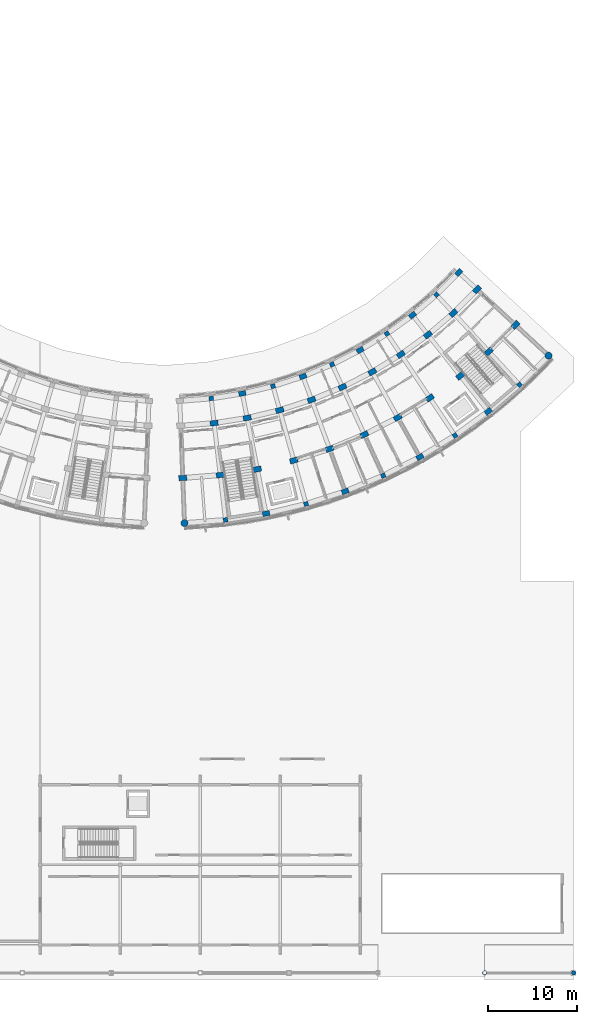
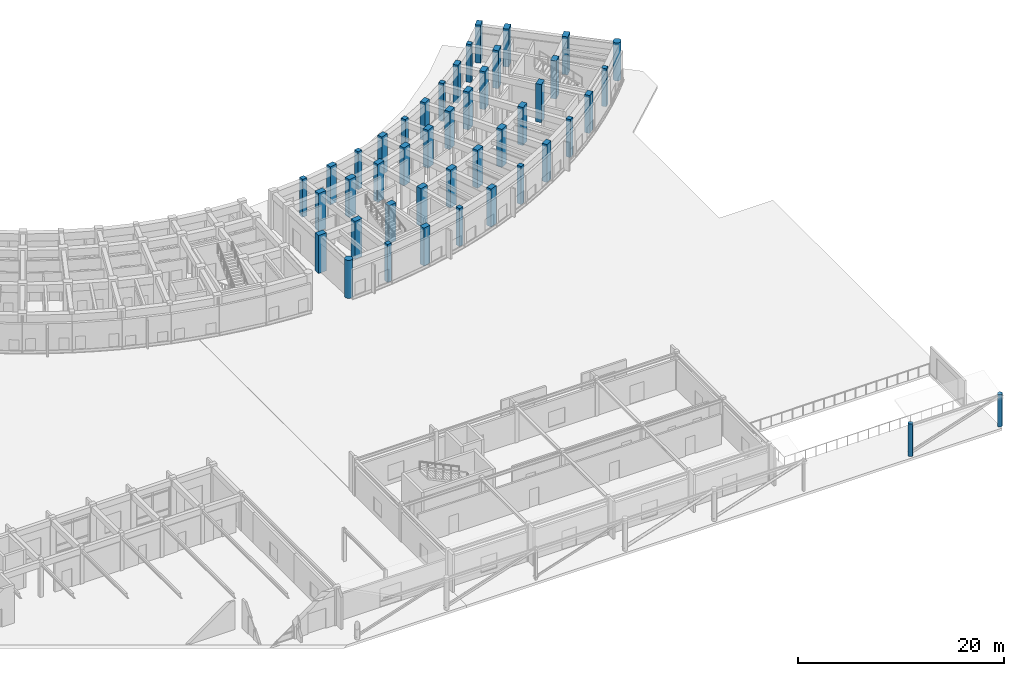
# One storey, part 8 of 61: 44 columns.
"""IFC4 building model written with IfcOpenShell, lengths in metres."""

from ifc_helpers import new_model, si_unit, direction, frame, origin, origin_2d, place, context, subcontext, project, spatial, rectangle, circle, extrude, material, material_profile, profile_set, type_object, element, save


model = new_model("IFC4")

# Units and contexts
model_context = context("Model", 3, precision=1e-05, world=origin(), true_north=direction((0.0, 1.0)))
body_context = subcontext(model_context, "Body", "Model", "MODEL_VIEW")
ifc_project = project(units=[si_unit("LENGTHUNIT", "METRE"), si_unit("AREAUNIT", "SQUARE_METRE"), si_unit("VOLUMEUNIT", "CUBIC_METRE"), si_unit("PLANEANGLEUNIT", "RADIAN"), si_unit("MASSUNIT", "GRAM", prefix="KILO")], contexts=[model_context])

# Site, building, storey
site_placement = place(None, origin())
site = spatial("IfcSite", under=ifc_project, at=site_placement, CompositionType="ELEMENT")
building_placement = place(site_placement, origin())
building = spatial("IfcBuilding", under=site, at=building_placement, Name="Zimvara Arc Housing Community", CompositionType="ELEMENT")
storey_placement = place(building_placement, origin())
storey = spatial("IfcBuildingStorey", under=building, at=storey_placement, Name="L00", CompositionType="ELEMENT", Elevation=0.0)

# Columns
ifc_material_1 = material(Name="Concrete C40/50", Category="concrete")
ifc_material_profile_1 = material_profile(ifc_material_1, rectangle(XDim=0.5, YDim=0.5, at=origin_2d()), Name="RC 500x500")
ifc_profile_set_1 = profile_set([ifc_material_profile_1], Name="Concrete C40/50")
column_type_1 = type_object("IfcColumnType", Name="COL-RC-500x500", PredefinedType="COLUMN", material=ifc_profile_set_1)
for number, where, z_axis, x_axis, name in (
    (1, (131.244140625, 65.048095703125, 0.0), (0.0, 0.0, 1.0), (0.116670737099, -0.993170649538, 0.0), "col:blkD:L00:b1:r0"),
    (2, (132.849609375, 51.382080078125, 0.0), (0.0, 0.0, 1.0), (0.116670737099, -0.993170649538, 0.0), "col:blkD:L00:b1:r3"),
    (3, (138.189453125, 66.42333984375, 0.0), (0.0, 0.0, 1.0), (0.270600445976, -0.962691746426, 0.0), "col:blkD:L00:b3:r0"),
    (4, (141.912841796875, 53.1767578125, 0.0), (0.0, 0.0, 1.0), (0.270600445976, -0.962691746426, 0.0), "col:blkD:L00:b3:r3"),
    (5, (144.834228515625, 68.8681640625, 0.0), (0.0, 0.0, 1.0), (0.417867073801, -0.908508177527, 0.0), "col:blkD:L00:b5:r0"),
    (6, (150.583984375, 56.366943359375, 0.0), (0.0, 0.0, 1.0), (0.417867073801, -0.908508177527, 0.0), "col:blkD:L00:b5:r3"),
    (7, (151.0146484375, 72.322265625, 0.0), (0.0, 0.0, 1.0), (0.554844427448, -0.83195412213, 0.0), "col:blkD:L00:b7:r0"),
    (8, (158.649169921875, 60.87451171875, 0.0), (0.0, 0.0, 1.0), (0.554844427448, -0.83195412213, 0.0), "col:blkD:L00:b7:r3"),
    (9, (156.57861328125, 76.70068359375, 0.0), (0.0, 0.0, 1.0), (0.678159669868, -0.73491459515, 0.0), "col:blkD:L00:b9:r0"),
    (10, (165.91015625, 66.588134765625, 0.0), (0.0, 0.0, 1.0), (0.678159669868, -0.73491459515, 0.0), "col:blkD:L00:b9:r3"),
):
    element("IfcColumn", number, at=place(storey_placement, frame(where, z_axis=z_axis, x_axis=x_axis)), inside=storey, type_object=column_type_1, Name=name, PredefinedType="COLUMN", context=body_context, shape_type="SweptSolid", body=[
        extrude(rectangle(XDim=0.5, YDim=0.5, at=origin_2d()), origin(), (0.0, 0.0, 1.0), 4.5),
    ])
ifc_material_2 = material(Name="Concrete C40/50", Category="concrete")
ifc_material_profile_2 = material_profile(ifc_material_2, rectangle(XDim=0.550048828125, YDim=0.800048828125, at=origin_2d()), Name="RC 550x800")
ifc_profile_set_2 = profile_set([ifc_material_profile_2], Name="Concrete C40/50")
column_type_2 = type_object("IfcColumnType", Name="COL-RC-550x800", PredefinedType="COLUMN", material=ifc_profile_set_2)
for number, where, z_axis, x_axis, name in (
    (11, (134.743896484375, 65.599365234375, 0.0), (0.0, 0.0, 1.0), (0.19423435122, -0.980955155349, 0.0), "col:blkD:L00:b2:r0"),
    (12, (137.41650390625, 52.101318359375, 0.0), (0.0, 0.0, 1.0), (0.19423435122, -0.980955155349, 0.0), "col:blkD:L00:b2:r3"),
    (13, (141.559814453125, 67.51513671875, 0.0), (0.0, 0.0, 1.0), (0.345298198999, -0.93849302276, 0.0), "col:blkD:L00:b4:r0"),
    (14, (146.311279296875, 54.6015625, 0.0), (0.0, 0.0, 1.0), (0.345298198999, -0.93849302276, 0.0), "col:blkD:L00:b4:r3"),
    (15, (147.9921875, 70.473876953125, 0.0), (0.0, 0.0, 1.0), (0.487859659139, -0.87292207727, 0.0), "col:blkD:L00:b6:r0"),
    (16, (154.705078125, 58.46240234375, 0.0), (0.0, 0.0, 1.0), (0.487859659139, -0.87292207727, 0.0), "col:blkD:L00:b6:r3"),
    (17, (153.882568359375, 74.402099609375, 0.0), (0.0, 0.0, 1.0), (0.618408395358, -0.785856893175, 0.0), "col:blkD:L00:b8:r0"),
    (18, (162.391845703125, 63.5888671875, 0.0), (0.0, 0.0, 1.0), (0.618408395358, -0.785856893175, 0.0), "col:blkD:L00:b8:r3"),
    (19, (159.0859375, 79.20361328125, 0.0), (0.0, 0.0, 1.0), (0.733729864503, -0.679441304262, 0.0), "col:blkD:L00:b10:r0"),
):
    element("IfcColumn", number, at=place(storey_placement, frame(where, z_axis=z_axis, x_axis=x_axis)), inside=storey, type_object=column_type_2, Name=name, PredefinedType="COLUMN", context=body_context, shape_type="SweptSolid", body=[
        extrude(rectangle(XDim=0.550048828125, YDim=0.800048828125, at=origin_2d()), origin(), (0.0, 0.0, 1.0), 4.5),
    ])
ifc_material_3 = material(Name="Concrete C40/50", Category="concrete")
ifc_material_profile_3 = material_profile(ifc_material_3, rectangle(XDim=0.60009765625, YDim=0.89990234375, at=origin_2d()), Name="RC 600x900")
ifc_profile_set_3 = profile_set([ifc_material_profile_3], Name="Concrete C40/50")
column_type_3 = type_object("IfcColumnType", Name="COL-RC-600x900", PredefinedType="COLUMN", material=ifc_profile_set_3)
for number, where, z_axis, x_axis, name in (
    (20, (128.045166015625, 56.099609375, 0.0), (0.0, 0.0, 1.0), (0.038387809088, -0.999262916411, 0.0), "col:blkD:L00:b0:r2"),
    (21, (131.57080078125, 62.267333984375, 0.0), (0.0, 0.0, 1.0), (0.116670737099, -0.993170649538, 0.0), "col:blkD:L00:b1:r1"),
    (22, (132.2568359375, 56.427490234375, 0.0), (0.0, 0.0, 1.0), (0.116670737099, -0.993170649538, 0.0), "col:blkD:L00:b1:r2"),
    (23, (135.28759765625, 62.8525390625, 0.0), (0.0, 0.0, 1.0), (0.19423435122, -0.980955155349, 0.0), "col:blkD:L00:b2:r1"),
    (24, (136.4296875, 57.084716796875, 0.0), (0.0, 0.0, 1.0), (0.19423435122, -0.980955155349, 0.0), "col:blkD:L00:b2:r2"),
    (25, (138.947265625, 63.727783203125, 0.0), (0.0, 0.0, 1.0), (0.270600445976, -0.962691746426, 0.0), "col:blkD:L00:b3:r1"),
    (26, (140.538330078125, 58.067138671875, 0.0), (0.0, 0.0, 1.0), (0.270600445976, -0.962691746426, 0.0), "col:blkD:L00:b3:r2"),
    (27, (142.526611328125, 64.887451171875, 0.0), (0.0, 0.0, 1.0), (0.345298198999, -0.93849302276, 0.0), "col:blkD:L00:b4:r1"),
    (28, (144.55712890625, 59.369140625, 0.0), (0.0, 0.0, 1.0), (0.345298198999, -0.93849302276, 0.0), "col:blkD:L00:b4:r2"),
    (29, (146.004150390625, 66.32421875, 0.0), (0.0, 0.0, 1.0), (0.417867073801, -0.908508177527, 0.0), "col:blkD:L00:b5:r1"),
    (30, (148.461181640625, 60.982177734375, 0.0), (0.0, 0.0, 1.0), (0.417867073801, -0.908508177527, 0.0), "col:blkD:L00:b5:r2"),
    (31, (149.358154296875, 68.029541015625, 0.0), (0.0, 0.0, 1.0), (0.487859659139, -0.87292207727, 0.0), "col:blkD:L00:b6:r1"),
    (32, (152.226806640625, 62.896728515625, 0.0), (0.0, 0.0, 1.0), (0.487859659139, -0.87292207727, 0.0), "col:blkD:L00:b6:r2"),
    (33, (152.568115234375, 69.99267578125, 0.0), (0.0, 0.0, 1.0), (0.554844427448, -0.83195412213, 0.0), "col:blkD:L00:b7:r1"),
    (34, (155.83056640625, 65.100830078125, 0.0), (0.0, 0.0, 1.0), (0.554844427448, -0.83195412213, 0.0), "col:blkD:L00:b7:r2"),
    (35, (155.614013671875, 72.20166015625, 0.0), (0.0, 0.0, 1.0), (0.618408395358, -0.785856893175, 0.0), "col:blkD:L00:b8:r1"),
    (36, (159.25048828125, 67.580810546875, 0.0), (0.0, 0.0, 1.0), (0.618408395358, -0.785856893175, 0.0), "col:blkD:L00:b8:r2"),
    (37, (158.477294921875, 74.642822265625, 0.0), (0.0, 0.0, 1.0), (0.678159669868, -0.73491459515, 0.0), "col:blkD:L00:b9:r1"),
    (38, (162.465087890625, 70.321533203125, 0.0), (0.0, 0.0, 1.0), (0.678159669868, -0.73491459515, 0.0), "col:blkD:L00:b9:r2"),
    (39, (161.140380859375, 77.30126953125, 0.0), (0.0, 0.0, 1.0), (0.733729864503, -0.679441304262, 0.0), "col:blkD:L00:b10:r1"),
    (40, (165.45458984375, 73.30615234375, 0.0), (0.0, 0.0, 1.0), (0.733729864503, -0.679441304262, 0.0), "col:blkD:L00:b10:r2"),
):
    element("IfcColumn", number, at=place(storey_placement, frame(where, z_axis=z_axis, x_axis=x_axis)), inside=storey, type_object=column_type_3, Name=name, PredefinedType="COLUMN", context=body_context, shape_type="SweptSolid", body=[
        extrude(rectangle(XDim=0.60009765625, YDim=0.89990234375, at=origin_2d()), origin(), (0.0, 0.0, 1.0), 4.5),
    ])
ifc_material_4 = material(Name="Concrete C40/50", Category="concrete")
ifc_material_profile_4 = material_profile(ifc_material_4, circle(Radius=0.25, at=origin_2d()), Name="RC D500")
ifc_profile_set_4 = profile_set([ifc_material_profile_4], Name="Concrete C40/50")
column_type_4 = type_object("IfcColumnType", Name="COL-RC-D500", PredefinedType="COLUMN", material=ifc_profile_set_4)
for number, where, z_axis, x_axis, name in (
    (41, (162.0, 0.449951171875, 0.0), (0.0, 0.0, 1.0), (1.0, 0.0, 0.0), "col:colonnade:L00:16"),
    (42, (172.0, 0.449951171875, 0.0), (0.0, 0.0, 1.0), (1.0, 0.0, 0.0), "col:colonnade:L00:17"),
):
    element("IfcColumn", number, at=place(storey_placement, frame(where, z_axis=z_axis, x_axis=x_axis)), inside=storey, type_object=column_type_4, Name=name, PredefinedType="COLUMN", context=body_context, shape_type="SweptSolid", body=[
        extrude(circle(Radius=0.25, at=origin_2d()), origin(), (0.0, 0.0, 1.0), 3.85009765625),
    ])
ifc_material_5 = material(Name="Concrete C40/50", Category="concrete")
ifc_material_profile_5 = material_profile(ifc_material_5, circle(Radius=0.39990234375, at=origin_2d()), Name="RC D800")
ifc_profile_set_5 = profile_set([ifc_material_profile_5], Name="Concrete C40/50")
column_type_5 = type_object("IfcColumnType", Name="COL-RC-D700", PredefinedType="COLUMN", material=ifc_profile_set_5)
for number, where, z_axis, x_axis, name in (
    (43, (128.240234375, 51.0234375, 0.0), (0.0, 0.0, 1.0), (0.038387809088, -0.999262916411, 0.0), "col:blkD:L00:b0:r3"),
    (44, (169.18212890625, 69.8544921875, 0.0), (0.0, 0.0, 1.0), (0.733729864503, -0.679441304262, 0.0), "col:blkD:L00:b10:r3"),
):
    element("IfcColumn", number, at=place(storey_placement, frame(where, z_axis=z_axis, x_axis=x_axis)), inside=storey, type_object=column_type_5, Name=name, PredefinedType="COLUMN", context=body_context, shape_type="SweptSolid", body=[
        extrude(circle(Radius=0.39990234375, at=origin_2d()), origin(), (0.0, 0.0, 1.0), 4.5),
    ])

save(model, "model.ifc")
